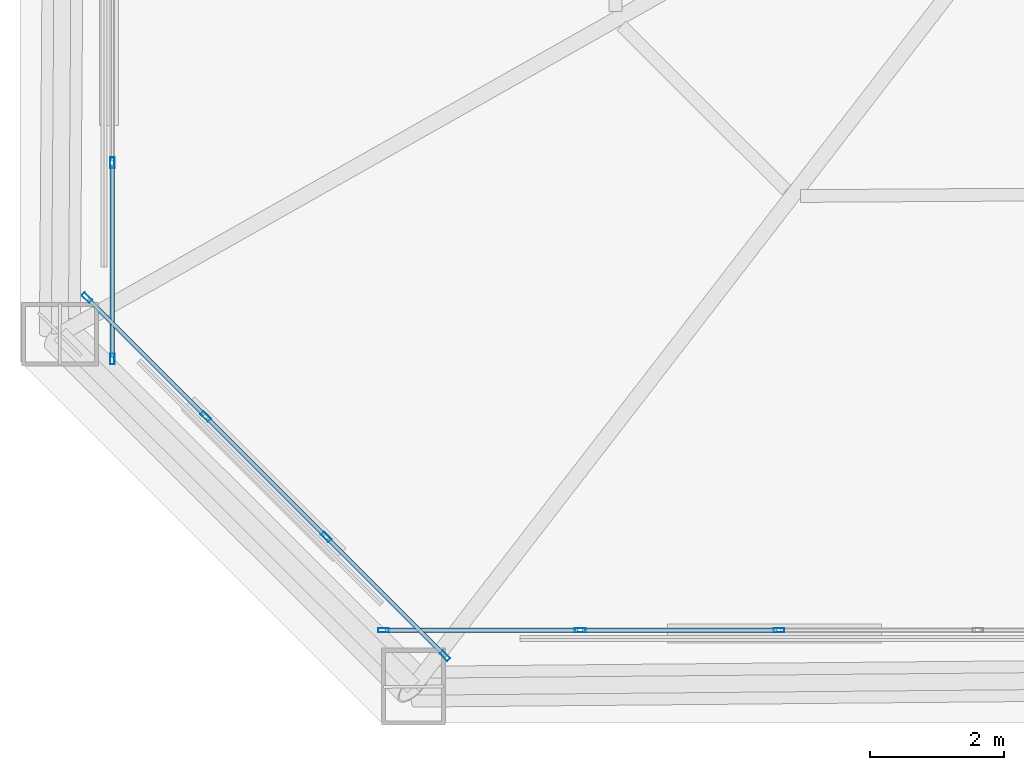
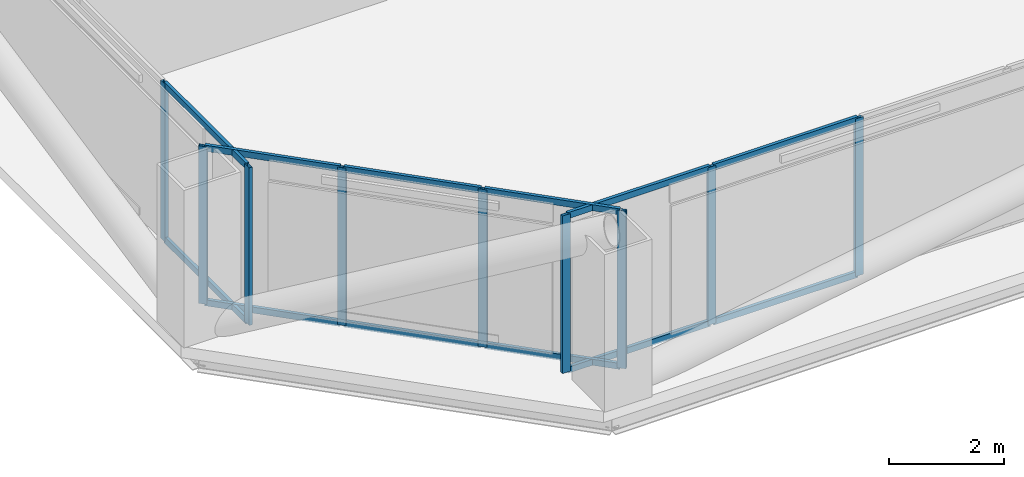
# One storey, part 2 of 50: 21 members, 3 elements without a shape of their own.
"""IFC4 building model written with IfcOpenShell, lengths in metres."""

from ifc_helpers import new_model, si_unit, direction, frame, origin, origin_2d, place, context, subcontext, project, spatial, hollow_rectangle, extrude, material, layer, layer_set, material_profile, profile_set, type_object, element, aggregate, save


model = new_model("IFC4")

# Units and contexts
model_context = context("Model", 3, precision=1e-05, world=origin(), true_north=direction((0.0, 1.0)))
body_context = subcontext(model_context, "Body", "Model", "MODEL_VIEW")
ifc_project = project(units=[si_unit("LENGTHUNIT", "METRE"), si_unit("AREAUNIT", "SQUARE_METRE"), si_unit("VOLUMEUNIT", "CUBIC_METRE"), si_unit("PLANEANGLEUNIT", "RADIAN"), si_unit("MASSUNIT", "GRAM", prefix="KILO")], contexts=[model_context])

# Site, building, storey
site_placement = place(None, origin())
site = spatial("IfcSite", under=ifc_project, at=site_placement, CompositionType="ELEMENT")
building_placement = place(site_placement, origin())
building = spatial("IfcBuilding", under=site, at=building_placement, Name="Caelvoria Tower", CompositionType="ELEMENT")
storey_placement = place(building_placement, frame((0.0, 0.0, 71.199951171875)))
storey = spatial("IfcBuildingStorey", under=building, at=storey_placement, Name="L18", CompositionType="ELEMENT", Elevation=71.199951171875)

# Curtain wall, members
ifc_material_1 = material(Name="Anodised Bronze Aluminium and Low-E Glass", Category="aluminium")
ifc_layer = layer(ifc_material_1, 0.18505859375, Name="Anodised Bronze Aluminium and Low-E Glass")
ifc_layer_set = layer_set([ifc_layer], Name="CW System 2 Lower Tower Bronze Unitised Facade - Anodised Bronze Aluminium and Low-E Glass")
curtain_wall_type = type_object("IfcCurtainWallType", Name="CW System 2 Lower Tower Bronze Unitised Facade", PredefinedType="NOTDEFINED", material=ifc_layer_set)
curtain_wall_1_placement = place(storey_placement, origin())
curtain_wall_1 = element("IfcCurtainWall", 1, at=curtain_wall_1_placement, inside=storey, type_object=curtain_wall_type, Name="CW-02 Curtain Wall L18-E0", PredefinedType="NOTDEFINED")
ifc_material_2 = material(Name="Anodised Bronze Architectural Aluminium", Category="aluminium")
ifc_material_profile_1 = material_profile(ifc_material_2, hollow_rectangle(XDim=0.06494140625, YDim=0.159912109375, WallThickness=0.00390625, at=origin_2d()), Name="Anodised Bronze Architectural Aluminium")
ifc_profile_set_1 = profile_set([ifc_material_profile_1], Name="CW_MULL_65X160 - Anodised Bronze Architectural Aluminium")
member_type_1 = type_object("IfcMemberType", Name="Curtain Wall Mullion 65x160 Bronze Aluminium", PredefinedType="MULLION", material=ifc_profile_set_1)
member_1_placement = place(storey_placement, frame((25.232421875, 10.179931640625, 0.0), z_axis=(0.0, 0.0, 1.0), x_axis=(0.0, 1.0, 0.0)))
member_1 = element("IfcMember", 2, at=member_1_placement, type_object=member_type_1, Name="CW-02 mullion 1", PredefinedType="MULLION", context=body_context, shape_type="SweptSolid", body=[
    extrude(hollow_rectangle(XDim=0.06494140625, YDim=0.159912109375, WallThickness=0.00390625, at=origin_2d()), origin(), (0.0, 0.0, 1.0), 3.360107421875),
])
member_2_placement = place(storey_placement, frame((28.17138671875, 10.179931640625, 0.0), z_axis=(0.0, 0.0, 1.0), x_axis=(0.0, 1.0, 0.0)))
member_2 = element("IfcMember", 3, at=member_2_placement, type_object=member_type_1, Name="CW-02 mullion 2", PredefinedType="MULLION", context=body_context, shape_type="SweptSolid", body=[
    extrude(hollow_rectangle(XDim=0.06494140625, YDim=0.159912109375, WallThickness=0.00390625, at=origin_2d()), origin(), (0.0, 0.0, 1.0), 3.360107421875),
])
member_3_placement = place(storey_placement, frame((31.142822265625, 10.179931640625, 0.0), z_axis=(0.0, 0.0, 1.0), x_axis=(0.0, 1.0, 0.0)))
member_3 = element("IfcMember", 4, at=member_3_placement, type_object=member_type_1, Name="CW-02 mullion 3", PredefinedType="MULLION", context=body_context, shape_type="SweptSolid", body=[
    extrude(hollow_rectangle(XDim=0.06494140625, YDim=0.159912109375, WallThickness=0.00390625, at=origin_2d()), origin(), (0.0, 0.0, 1.0), 3.360107421875),
])

curtain_wall_2_placement = place(storey_placement, origin())
curtain_wall_2 = element("IfcCurtainWall", 5, at=curtain_wall_2_placement, inside=storey, type_object=curtain_wall_type, Name="CW-02 Curtain Wall L18-E6", PredefinedType="NOTDEFINED")
member_4_placement = place(storey_placement, frame((21.179931640625, 17.166748046875, 0.0), z_axis=(0.0, 0.0, 1.0), x_axis=(1.0, 0.0, 0.0)))
member_4 = element("IfcMember", 6, at=member_4_placement, type_object=member_type_1, Name="CW-02 mullion 12", PredefinedType="MULLION", context=body_context, shape_type="SweptSolid", body=[
    extrude(hollow_rectangle(XDim=0.06494140625, YDim=0.159912109375, WallThickness=0.00390625, at=origin_2d()), origin(), (0.0, 0.0, 1.0), 3.360107421875),
])
member_5_placement = place(storey_placement, frame((21.179931640625, 14.232421875, 0.0), z_axis=(0.0, 0.0, 1.0), x_axis=(1.0, 0.0, 0.0)))
member_5 = element("IfcMember", 7, at=member_5_placement, type_object=member_type_1, Name="CW-02 mullion 13", PredefinedType="MULLION", context=body_context, shape_type="SweptSolid", body=[
    extrude(hollow_rectangle(XDim=0.06494140625, YDim=0.159912109375, WallThickness=0.00390625, at=origin_2d()), origin(), (0.0, 0.0, 1.0), 3.360107421875),
])

curtain_wall_3_placement = place(storey_placement, origin())
curtain_wall_3 = element("IfcCurtainWall", 8, at=curtain_wall_3_placement, inside=storey, type_object=curtain_wall_type, Name="CW-02 Curtain Wall L18-E7", PredefinedType="NOTDEFINED")
member_6_placement = place(storey_placement, frame((20.798828125, 15.15283203125, 0.0), z_axis=(0.0, 0.0, 1.0), x_axis=(0.707106781187, 0.707106781187, 0.0)))
member_6 = element("IfcMember", 9, at=member_6_placement, type_object=member_type_1, Name="CW-02 mullion 1", PredefinedType="MULLION", context=body_context, shape_type="SweptSolid", body=[
    extrude(hollow_rectangle(XDim=0.06494140625, YDim=0.159912109375, WallThickness=0.00390625, at=origin_2d()), origin(), (0.0, 0.0, 1.0), 3.360107421875),
])
member_7_placement = place(storey_placement, frame((22.57568359375, 13.375732421875, 0.0), z_axis=(0.0, 0.0, 1.0), x_axis=(0.707106781187, 0.707106781187, 0.0)))
member_7 = element("IfcMember", 10, at=member_7_placement, type_object=member_type_1, Name="CW-02 mullion 2", PredefinedType="MULLION", context=body_context, shape_type="SweptSolid", body=[
    extrude(hollow_rectangle(XDim=0.06494140625, YDim=0.159912109375, WallThickness=0.00390625, at=origin_2d()), origin(), (0.0, 0.0, 1.0), 3.360107421875),
])
member_8_placement = place(storey_placement, frame((24.375732421875, 11.57568359375, 0.0), z_axis=(0.0, 0.0, 1.0), x_axis=(0.707106781187, 0.707106781187, 0.0)))
member_8 = element("IfcMember", 11, at=member_8_placement, type_object=member_type_1, Name="CW-02 mullion 3", PredefinedType="MULLION", context=body_context, shape_type="SweptSolid", body=[
    extrude(hollow_rectangle(XDim=0.06494140625, YDim=0.159912109375, WallThickness=0.00390625, at=origin_2d()), origin(), (0.0, 0.0, 1.0), 3.360107421875),
])
member_9_placement = place(storey_placement, frame((26.15283203125, 9.798828125, 0.0), z_axis=(0.0, 0.0, 1.0), x_axis=(0.707106781187, 0.707106781187, 0.0)))
member_9 = element("IfcMember", 12, at=member_9_placement, type_object=member_type_1, Name="CW-02 mullion 4", PredefinedType="MULLION", context=body_context, shape_type="SweptSolid", body=[
    extrude(hollow_rectangle(XDim=0.06494140625, YDim=0.159912109375, WallThickness=0.00390625, at=origin_2d()), origin(), (0.0, 0.0, 1.0), 3.360107421875),
])

# Member
ifc_material_profile_2 = material_profile(ifc_material_2, hollow_rectangle(XDim=0.06494140625, YDim=0.1298828125, WallThickness=0.00341796875, at=origin_2d()), Name="Anodised Bronze Architectural Aluminium")
ifc_profile_set_2 = profile_set([ifc_material_profile_2], Name="CW_TRAN_65X130 - Anodised Bronze Architectural Aluminium")
member_type_2 = type_object("IfcMemberType", Name="Curtain Wall Transom 65x130 Bronze Aluminium", PredefinedType="USERDEFINED", material=ifc_profile_set_2)
member_10_placement = place(storey_placement, frame((25.264892578125, 10.179931640625, 0.032470703125), z_axis=(1.0, 0.0, 0.0), x_axis=(0.0, 1.0, 0.0)))
member_10 = element("IfcMember", 13, at=member_10_placement, type_object=member_type_2, Name="CW-02 transom 1.1", ObjectType="TRANSOM", PredefinedType="USERDEFINED", context=body_context, shape_type="SweptSolid", body=[
    extrude(hollow_rectangle(XDim=0.06494140625, YDim=0.1298828125, WallThickness=0.00341796875, at=origin_2d()), origin(), (0.0, 0.0, 1.0), 2.8740234375),
])

member_11_placement = place(storey_placement, frame((25.264892578125, 10.179931640625, 3.32763671875), z_axis=(1.0, 0.0, 0.0), x_axis=(0.0, 1.0, 0.0)))
member_11 = element("IfcMember", 14, at=member_11_placement, type_object=member_type_2, Name="CW-02 transom 1.2", ObjectType="TRANSOM", PredefinedType="USERDEFINED", context=body_context, shape_type="SweptSolid", body=[
    extrude(hollow_rectangle(XDim=0.06494140625, YDim=0.1298828125, WallThickness=0.00341796875, at=origin_2d()), origin(), (0.0, 0.0, 1.0), 2.8740234375),
])

member_12_placement = place(storey_placement, frame((28.203857421875, 10.179931640625, 0.032470703125), z_axis=(1.0, 0.0, 0.0), x_axis=(0.0, 1.0, 0.0)))
member_12 = element("IfcMember", 15, at=member_12_placement, type_object=member_type_2, Name="CW-02 transom 2.1", ObjectType="TRANSOM", PredefinedType="USERDEFINED", context=body_context, shape_type="SweptSolid", body=[
    extrude(hollow_rectangle(XDim=0.06494140625, YDim=0.1298828125, WallThickness=0.00341796875, at=origin_2d()), origin(), (0.0, 0.0, 1.0), 2.906494140625),
])

member_13_placement = place(storey_placement, frame((28.203857421875, 10.179931640625, 3.32763671875), z_axis=(1.0, 0.0, 0.0), x_axis=(0.0, 1.0, 0.0)))
member_13 = element("IfcMember", 16, at=member_13_placement, type_object=member_type_2, Name="CW-02 transom 2.2", ObjectType="TRANSOM", PredefinedType="USERDEFINED", context=body_context, shape_type="SweptSolid", body=[
    extrude(hollow_rectangle(XDim=0.06494140625, YDim=0.1298828125, WallThickness=0.00341796875, at=origin_2d()), origin(), (0.0, 0.0, 1.0), 2.906494140625),
])

aggregate(curtain_wall_1, [member_1, member_2, member_3, member_10, member_11, member_12, member_13])

member_14_placement = place(storey_placement, frame((21.179931640625, 17.13427734375, 0.032470703125), z_axis=(0.0, -1.0, 0.0), x_axis=(1.0, 0.0, 0.0)))
member_14 = element("IfcMember", 17, at=member_14_placement, type_object=member_type_2, Name="CW-02 transom 12.1", ObjectType="TRANSOM", PredefinedType="USERDEFINED", context=body_context, shape_type="SweptSolid", body=[
    extrude(hollow_rectangle(XDim=0.06494140625, YDim=0.1298828125, WallThickness=0.00341796875, at=origin_2d()), origin(), (0.0, 0.0, 1.0), 2.869384765625),
])

member_15_placement = place(storey_placement, frame((21.179931640625, 17.13427734375, 3.32763671875), z_axis=(0.0, -1.0, 0.0), x_axis=(1.0, 0.0, 0.0)))
member_15 = element("IfcMember", 18, at=member_15_placement, type_object=member_type_2, Name="CW-02 transom 12.2", ObjectType="TRANSOM", PredefinedType="USERDEFINED", context=body_context, shape_type="SweptSolid", body=[
    extrude(hollow_rectangle(XDim=0.06494140625, YDim=0.1298828125, WallThickness=0.00341796875, at=origin_2d()), origin(), (0.0, 0.0, 1.0), 2.869384765625),
])

aggregate(curtain_wall_2, [member_4, member_5, member_14, member_15])

member_16_placement = place(storey_placement, frame((20.82177734375, 15.1298828125, 0.032470703125), z_axis=(0.707056916458, -0.707156642399, 0.0), x_axis=(0.707156642399, 0.707056916458, 0.0)))
member_16 = element("IfcMember", 19, at=member_16_placement, type_object=member_type_2, Name="CW-02 transom 1.1", ObjectType="TRANSOM", PredefinedType="USERDEFINED", context=body_context, shape_type="SweptSolid", body=[
    extrude(hollow_rectangle(XDim=0.06494140625, YDim=0.1298828125, WallThickness=0.00341796875, at=origin_2d()), origin(), (0.0, 0.0, 1.0), 2.447998046875),
])

member_17_placement = place(storey_placement, frame((20.82177734375, 15.1298828125, 3.32763671875), z_axis=(0.707056916458, -0.707156642399, 0.0), x_axis=(0.707156642399, 0.707056916458, 0.0)))
member_17 = element("IfcMember", 20, at=member_17_placement, type_object=member_type_2, Name="CW-02 transom 1.2", ObjectType="TRANSOM", PredefinedType="USERDEFINED", context=body_context, shape_type="SweptSolid", body=[
    extrude(hollow_rectangle(XDim=0.06494140625, YDim=0.1298828125, WallThickness=0.00341796875, at=origin_2d()), origin(), (0.0, 0.0, 1.0), 2.447998046875),
])

member_18_placement = place(storey_placement, frame((22.598876953125, 13.352783203125, 0.032470703125), z_axis=(0.707106781187, -0.707106781187, 0.0), x_axis=(0.707106781187, 0.707106781187, 0.0)))
member_18 = element("IfcMember", 21, at=member_18_placement, type_object=member_type_2, Name="CW-02 transom 2.1", ObjectType="TRANSOM", PredefinedType="USERDEFINED", context=body_context, shape_type="SweptSolid", body=[
    extrude(hollow_rectangle(XDim=0.06494140625, YDim=0.1298828125, WallThickness=0.00341796875, at=origin_2d()), origin(), (0.0, 0.0, 1.0), 2.48046875),
])

member_19_placement = place(storey_placement, frame((22.598876953125, 13.352783203125, 3.32763671875), z_axis=(0.707106781187, -0.707106781187, 0.0), x_axis=(0.707106781187, 0.707106781187, 0.0)))
member_19 = element("IfcMember", 22, at=member_19_placement, type_object=member_type_2, Name="CW-02 transom 2.2", ObjectType="TRANSOM", PredefinedType="USERDEFINED", context=body_context, shape_type="SweptSolid", body=[
    extrude(hollow_rectangle(XDim=0.06494140625, YDim=0.1298828125, WallThickness=0.00341796875, at=origin_2d()), origin(), (0.0, 0.0, 1.0), 2.48046875),
])

member_20_placement = place(storey_placement, frame((24.398681640625, 11.552734375, 0.032470703125), z_axis=(0.707156642399, -0.707056916458, 0.0), x_axis=(0.707056916458, 0.707156642399, 0.0)))
member_20 = element("IfcMember", 23, at=member_20_placement, type_object=member_type_2, Name="CW-02 transom 3.1", ObjectType="TRANSOM", PredefinedType="USERDEFINED", context=body_context, shape_type="SweptSolid", body=[
    extrude(hollow_rectangle(XDim=0.06494140625, YDim=0.1298828125, WallThickness=0.00341796875, at=origin_2d()), origin(), (0.0, 0.0, 1.0), 2.447998046875),
])

member_21_placement = place(storey_placement, frame((24.398681640625, 11.552734375, 3.32763671875), z_axis=(0.707156642399, -0.707056916458, 0.0), x_axis=(0.707056916458, 0.707156642399, 0.0)))
member_21 = element("IfcMember", 24, at=member_21_placement, type_object=member_type_2, Name="CW-02 transom 3.2", ObjectType="TRANSOM", PredefinedType="USERDEFINED", context=body_context, shape_type="SweptSolid", body=[
    extrude(hollow_rectangle(XDim=0.06494140625, YDim=0.1298828125, WallThickness=0.00341796875, at=origin_2d()), origin(), (0.0, 0.0, 1.0), 2.447998046875),
])

aggregate(curtain_wall_3, [member_6, member_7, member_8, member_9, member_16, member_17, member_18, member_19, member_20, member_21])

save(model, "model.ifc")
